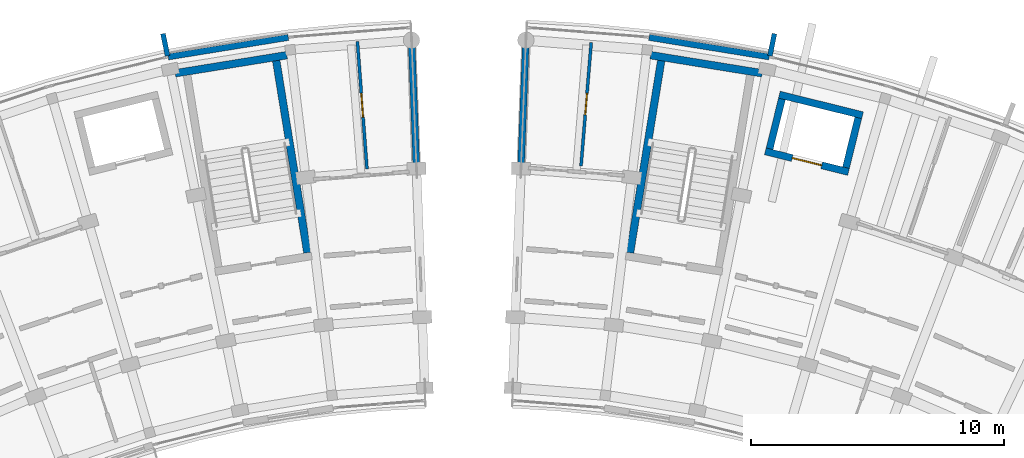
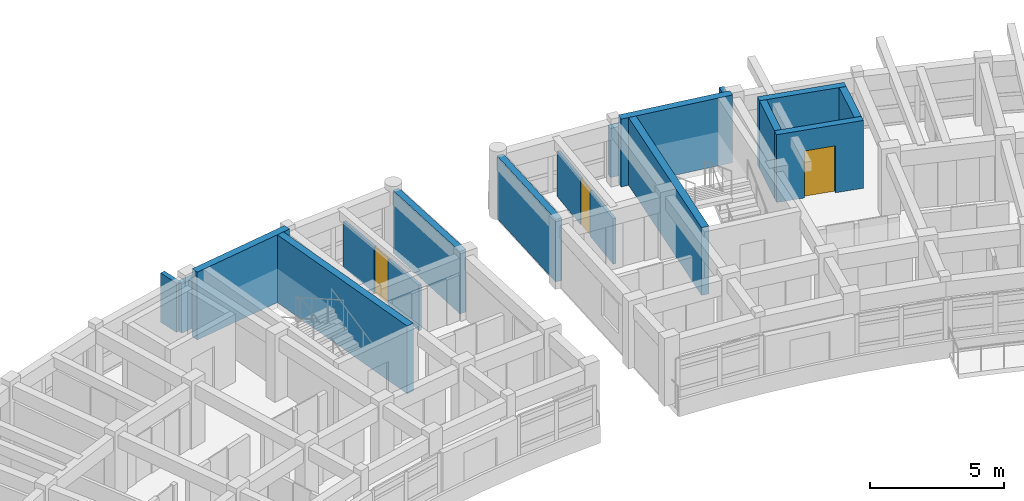
# One storey, part 31 of 54: 16 walls, 3 doors, 3 openings.
"""IFC4 building model written with IfcOpenShell, lengths in metres."""

from ifc_helpers import new_model, si_unit, direction, frame, frame_2d, origin, place, context, subcontext, project, spatial, rectangle, extrude, material, layer, layer_set, type_object, element, fill, save


model = new_model("IFC4")

# Units and contexts
model_context = context("Model", 3, precision=1e-05, world=origin(), true_north=direction((0.0, 1.0)))
body_context = subcontext(model_context, "Body", "Model", "MODEL_VIEW")
ifc_project = project(units=[si_unit("LENGTHUNIT", "METRE"), si_unit("AREAUNIT", "SQUARE_METRE"), si_unit("VOLUMEUNIT", "CUBIC_METRE"), si_unit("PLANEANGLEUNIT", "RADIAN"), si_unit("MASSUNIT", "GRAM", prefix="KILO")], contexts=[model_context])

# Site, building, storey
site_placement = place(None, origin())
site = spatial("IfcSite", under=ifc_project, at=site_placement, CompositionType="ELEMENT")
building_placement = place(site_placement, origin())
building = spatial("IfcBuilding", under=site, at=building_placement, Name="Zimvara Arc Housing Community", CompositionType="ELEMENT")
storey_placement = place(building_placement, frame((0.0, 0.0, 23.60009765625)))
storey = spatial("IfcBuildingStorey", under=building, at=storey_placement, Name="L07", CompositionType="ELEMENT", Elevation=23.60009765625)

# Walls
ifc_material_1 = material(Name="Board-Marked Fair-Faced Concrete C35/45", Category="concrete")
ifc_layer_1 = layer(ifc_material_1, 0.195068359375)
ifc_layer_set_1 = layer_set([ifc_layer_1], Name="Board-Marked Fair-Faced Concrete C35/45")
wall_type_1 = type_object("IfcWallType", Name="EWL-PARA-195", PredefinedType="PARAPET", material=ifc_layer_set_1)
for number, where, z_axis, x_axis, name in (
    (1, (33.092529296875, 102.714599609375, 0.0), (0.0, 0.0, 1.0), (-0.200183211319, 0.979758481416, 0.0), "finwall:blkA:L07:out:b8"),
    (2, (56.907470703125, 102.714599609375, 0.0), (0.0, 0.0, 1.0), (0.200183211319, 0.979758481416, 0.0), "finwall:blkB:L07:out:b2"),
):
    element("IfcWall", number, at=place(storey_placement, frame(where, z_axis=z_axis, x_axis=x_axis)), inside=storey, type_object=wall_type_1, Name=name, PredefinedType="PARAPET", context=body_context, shape_type="SweptSolid", body=[
        extrude(rectangle(XDim=0.900146484375, YDim=0.195068359375, at=frame_2d((0.4501953125, 0.0))), origin(), (0.0, 0.0, 1.0), 2.25),
    ])
ifc_material_2 = material(Name="Pigmented Fair-Faced Concrete C35/45", Category="concrete")
ifc_layer_2 = layer(ifc_material_2, 0.2451171875)
ifc_layer_set_2 = layer_set([ifc_layer_2], Name="Pigmented Fair-Faced Concrete C35/45")
wall_type_2 = type_object("IfcWallType", Name="EWL-PIGM-245", PredefinedType="SOLIDWALL", material=ifc_layer_set_2)
for number, where, z_axis, x_axis, name in (
    (3, (33.120361328125, 102.6787109375, 0.0), (0.0, 0.0, 1.0), (0.987080750493, 0.160223568819, 0.0), "ewall:blkA:L07:out:b8"),
    (4, (52.1328125, 103.44921875, 0.0), (0.0, 0.0, 1.0), (0.987080750493, -0.160223568819, 0.0), "ewall:blkB:L07:out:b1"),
):
    element("IfcWall", number, at=place(storey_placement, frame(where, z_axis=z_axis, x_axis=x_axis)), inside=storey, type_object=wall_type_2, Name=name, PredefinedType="SOLIDWALL", context=body_context, shape_type="SweptSolid", body=[
        extrude(rectangle(XDim=4.808837890625, YDim=0.2451171875, at=frame_2d((2.404296875, 0.0))), origin(), (0.0, 0.0, 1.0), 2.25),
    ])

# Wall, opening, door
ifc_material_3 = material(Name="Painted Acoustic Plasterboard")
ifc_layer_3 = layer(ifc_material_3, 0.1201171875)
ifc_layer_set_3 = layer_set([ifc_layer_3], Name="Painted Acoustic Plasterboard")
wall_type_3 = type_object("IfcWallType", Name="IWL-PART-120", PredefinedType="PARTITIONING", material=ifc_layer_set_3)
wall_1_placement = place(storey_placement, frame((40.9765625, 98.24951171875, 0.0), z_axis=(0.0, 0.0, 1.0), x_axis=(-0.074640923707, 0.997210475531, 0.0)))
wall_1 = element("IfcWall", 5, at=wall_1_placement, inside=storey, type_object=wall_type_3, Name="iwall:blkA:L07:bed_div:b9", PredefinedType="PARTITIONING", context=body_context, shape_type="SweptSolid", body=[
    extrude(rectangle(XDim=5.05029296875, YDim=0.1201171875, at=frame_2d((2.525146484375, 0.0))), origin(), (0.0, 0.0, 1.0), 2.079833984375),
])
opening_1_placement = place(wall_1_placement, frame((2.054931640625, 0.0, 0.0)))
opening_1 = element("IfcOpeningElement", 6, at=opening_1_placement, cuts=wall_1, Name="Opening D03", PredefinedType="OPENING", context=body_context, shape_type="SweptSolid", body=[
    extrude(rectangle(XDim=0.93994140625, YDim=2.10009765625, at=frame_2d((0.469970703125, 1.050048828125))), frame((0.0, 0.070068359375, 0.0), z_axis=(0.0, -1.0, 0.0), x_axis=(1.0, 0.0, 0.0)), (0.0, 0.0, 1.0), 0.14013671875),
])
ifc_material_4 = material(Name="Mozambican Hardwood", Category="wood")
door_type_1 = type_object("IfcDoorType", Name="IDR-RM-0940x2100", OperationType="NOTDEFINED", PredefinedType="DOOR", material=ifc_material_4)
door_1_placement = place(opening_1_placement, origin())
door_1 = element("IfcDoor", 7, at=door_1_placement, inside=storey, type_object=door_type_1, Name="idoor:blkA:L07:bed_d:b9", OperationType="SINGLE_SWING_LEFT", OverallHeight=2.10009765625, OverallWidth=0.93994140625, PredefinedType="DOOR", context=body_context, shape_type="SweptSolid", body=[
    extrude(rectangle(XDim=0.93994140625, YDim=2.10009765625, at=frame_2d((0.469970703125, 1.050048828125))), frame((0.0, 0.02490234375, 0.0), z_axis=(0.0, -1.0, 0.0), x_axis=(1.0, 0.0, 0.0)), (0.0, 0.0, 1.0), 0.050048828125),
])
fill(opening_1, door_1)

wall_2_placement = place(storey_placement, frame((49.44091796875, 98.3671875, 0.0), z_axis=(0.0, 0.0, 1.0), x_axis=(0.082158932509, 0.996619240136, 0.0)))
wall_2 = element("IfcWall", 8, at=wall_2_placement, inside=storey, type_object=wall_type_3, Name="iwall:blkB:L07:bed_div:b0", PredefinedType="PARTITIONING", context=body_context, shape_type="SweptSolid", body=[
    extrude(rectangle(XDim=4.900146484375, YDim=0.1201171875, at=frame_2d((2.4501953125, 0.0))), origin(), (0.0, 0.0, 1.0), 2.079833984375),
])
opening_2_placement = place(wall_2_placement, frame((2.02490234375, 0.0, 0.0)))
opening_2 = element("IfcOpeningElement", 9, at=opening_2_placement, cuts=wall_2, Name="Opening D11", PredefinedType="OPENING", context=body_context, shape_type="SweptSolid", body=[
    extrude(rectangle(XDim=0.85009765625, YDim=2.10009765625, at=frame_2d((0.425048828125, 1.050048828125))), frame((0.0, 0.070068359375, 0.0), z_axis=(0.0, -1.0, 0.0), x_axis=(1.0, 0.0, 0.0)), (0.0, 0.0, 1.0), 0.14013671875),
])
ifc_material_5 = material(Name="Mozambican Hardwood", Category="wood")
door_type_2 = type_object("IfcDoorType", Name="IDR-MOD-850x2060", OperationType="NOTDEFINED", PredefinedType="DOOR", material=ifc_material_5)
door_2_placement = place(opening_2_placement, origin())
door_2 = element("IfcDoor", 10, at=door_2_placement, inside=storey, type_object=door_type_2, Name="idoor:blkB:L07:bed_d:b0", OperationType="SINGLE_SWING_LEFT", OverallHeight=2.10009765625, OverallWidth=0.85009765625, PredefinedType="DOOR", context=body_context, shape_type="SweptSolid", body=[
    extrude(rectangle(XDim=0.85009765625, YDim=2.10009765625, at=frame_2d((0.425048828125, 1.050048828125))), frame((0.0, 0.02490234375, 0.0), z_axis=(0.0, -1.0, 0.0), x_axis=(1.0, 0.0, 0.0)), (0.0, 0.0, 1.0), 0.050048828125),
])
fill(opening_2, door_2)

ifc_material_6 = material(Name="Concrete C40/50", Category="concrete")
ifc_layer_4 = layer(ifc_material_6, 0.280029296875)
ifc_layer_set_4 = layer_set([ifc_layer_4], Name="Concrete C40/50")
wall_type_4 = type_object("IfcWallType", Name="WL-CORE-280", PredefinedType="SHEAR", material=ifc_layer_set_4)
wall_3_placement = place(storey_placement, frame((60.017578125, 98.127685546875, 0.0), z_axis=(0.0, 0.0, 1.0), x_axis=(-0.970707542441, 0.240264160972, 0.0)))
wall_3 = element("IfcWall", 11, at=wall_3_placement, inside=storey, type_object=wall_type_4, Name="lwall:LF-B1:L07:front", PredefinedType="SHEAR", context=body_context, shape_type="SweptSolid", body=[
    extrude(rectangle(XDim=3.389892578125, YDim=0.280029296875, at=frame_2d((1.69482421875, 0.0))), origin(), (0.0, 0.0, 1.0), 3.099853515625),
])
opening_3_placement = place(wall_3_placement, frame((1.094970703125, 0.0, 0.0)))
opening_3 = element("IfcOpeningElement", 12, at=opening_3_placement, cuts=wall_3, Name="Opening LD-LF-B1", PredefinedType="OPENING", context=body_context, shape_type="SweptSolid", body=[
    extrude(rectangle(XDim=1.199951171875, YDim=2.14990234375, at=frame_2d((0.60009765625, 1.074951171875))), frame((0.0, 0.14990234375, 0.0), z_axis=(0.0, -1.0, 0.0), x_axis=(1.0, 0.0, 0.0)), (0.0, 0.0, 1.0), 0.300048828125),
])
ifc_material_7 = material(Name="Anodised Aluminium AW-6063", Category="aluminium")
door_type_3 = type_object("IfcDoorType", Name="IDR-LD-1200x2150", OperationType="DOUBLE_DOOR_SLIDING", PredefinedType="DOOR", material=ifc_material_7)
door_3_placement = place(opening_3_placement, origin())
door_3 = element("IfcDoor", 13, at=door_3_placement, inside=storey, type_object=door_type_3, Name="Lift LF-B1 Sliding Landing Door L07", OperationType="DOUBLE_DOOR_SLIDING", OverallHeight=2.14990234375, OverallWidth=1.199951171875, PredefinedType="DOOR", context=body_context, shape_type="SweptSolid", body=[
    extrude(rectangle(XDim=1.199951171875, YDim=2.14990234375, at=frame_2d((0.60009765625, 1.074951171875))), frame((0.0, 0.02490234375, 0.0), z_axis=(0.0, -1.0, 0.0), x_axis=(1.0, 0.0, 0.0)), (0.0, 0.0, 1.0), 0.050048828125),
])
fill(opening_3, door_3)

# Walls
wall_4_placement = place(storey_placement, frame((60.572509765625, 100.3701171875, 0.0), z_axis=(0.0, 0.0, 1.0), x_axis=(-0.970711699588, 0.240247364777, 0.0)))
element("IfcWall", 14, at=wall_4_placement, inside=storey, type_object=wall_type_4, Name="lwall:LF-B1:L07:back", PredefinedType="SHEAR", context=body_context, shape_type="SweptSolid", body=[
    extrude(rectangle(XDim=3.39013671875, YDim=0.280029296875, at=frame_2d((1.695068359375, 0.0))), origin(), (0.0, 0.0, 1.0), 3.099853515625),
])
wall_5_placement = place(storey_placement, frame((59.915283203125, 98.29736328125, 0.0), z_axis=(0.0, 0.0, 1.0), x_axis=(0.2402993748, 0.970698825832, 0.0)))
element("IfcWall", 15, at=wall_5_placement, inside=storey, type_object=wall_type_4, Name="lwall:LF-B1:L07:left", PredefinedType="SHEAR", context=body_context, shape_type="SweptSolid", body=[
    extrude(rectangle(XDim=2.030029296875, YDim=0.280029296875, at=frame_2d((1.01513671875, 0.0))), origin(), (0.0, 0.0, 1.0), 3.099853515625),
])
wall_6_placement = place(storey_placement, frame((56.896484375, 99.04443359375, 0.0), z_axis=(0.0, 0.0, 1.0), x_axis=(0.240186044774, 0.970726873995, 0.0)))
element("IfcWall", 16, at=wall_6_placement, inside=storey, type_object=wall_type_4, Name="lwall:LF-B1:L07:right", PredefinedType="SHEAR", context=body_context, shape_type="SweptSolid", body=[
    extrude(rectangle(XDim=2.02978515625, YDim=0.280029296875, at=frame_2d((1.014892578125, 0.0))), origin(), (0.0, 0.0, 1.0), 3.099853515625),
])
ifc_material_8 = material(Name="Concrete C40/50", Category="concrete")
ifc_layer_5 = layer(ifc_material_8, 0.300048828125)
ifc_layer_set_5 = layer_set([ifc_layer_5], Name="Concrete C40/50")
wall_type_5 = type_object("IfcWallType", Name="WL-CORE-300", PredefinedType="SHEAR", material=ifc_layer_set_5)
wall_7_placement = place(storey_placement, frame((37.8095703125, 102.745361328125, 0.0), z_axis=(0.0, 0.0, 1.0), x_axis=(-0.987084710126, -0.160199173019, 0.0)))
element("IfcWall", 17, at=wall_7_placement, inside=storey, type_object=wall_type_5, Name="cwall:ST-A2:L07:far", PredefinedType="SHEAR", context=body_context, shape_type="SweptSolid", body=[
    extrude(rectangle(XDim=4.4697265625, YDim=0.300048828125, at=frame_2d((2.23486328125, 0.0))), origin(), (0.0, 0.0, 1.0), 3.099853515625),
])
wall_8_placement = place(storey_placement, frame((38.62158203125, 94.9345703125, 0.0), z_axis=(0.0, 0.0, 1.0), x_axis=(-0.160196564502, 0.987085133472, 0.0)))
element("IfcWall", 18, at=wall_8_placement, inside=storey, type_object=wall_type_5, Name="cwall:ST-A2:L07:left", PredefinedType="SHEAR", context=body_context, shape_type="SweptSolid", body=[
    extrude(rectangle(XDim=7.690185546875, YDim=0.300048828125, at=frame_2d((3.84521484375, 0.0))), origin(), (0.0, 0.0, 1.0), 3.099853515625),
])
wall_9_placement = place(storey_placement, frame((56.6025390625, 102.029296875, 0.0), z_axis=(0.0, 0.0, 1.0), x_axis=(-0.987084710126, 0.160199173019, 0.0)))
element("IfcWall", 19, at=wall_9_placement, inside=storey, type_object=wall_type_5, Name="cwall:ST-B1:L07:far", PredefinedType="SHEAR", context=body_context, shape_type="SweptSolid", body=[
    extrude(rectangle(XDim=4.4697265625, YDim=0.300048828125, at=frame_2d((2.23486328125, 0.0))), origin(), (0.0, 0.0, 1.0), 3.099853515625),
])
wall_10_placement = place(storey_placement, frame((51.37841796875, 94.9345703125, 0.0), z_axis=(0.0, 0.0, 1.0), x_axis=(0.160196564502, 0.987085133472, 0.0)))
element("IfcWall", 20, at=wall_10_placement, inside=storey, type_object=wall_type_5, Name="cwall:ST-B1:L07:right", PredefinedType="SHEAR", context=body_context, shape_type="SweptSolid", body=[
    extrude(rectangle(XDim=7.690185546875, YDim=0.300048828125, at=frame_2d((3.84521484375, 0.0))), origin(), (0.0, 0.0, 1.0), 3.099853515625),
])
ifc_material_9 = material(Name="Concrete C40/50", Category="concrete")
ifc_layer_6 = layer(ifc_material_9, 0.27001953125)
ifc_layer_set_6 = layer_set([ifc_layer_6], Name="Concrete C40/50")
wall_type_6 = type_object("IfcWallType", Name="WL-SHEAR-270", PredefinedType="SHEAR", material=ifc_layer_set_6)
for number, where, z_axis, x_axis, name in (
    (21, (42.927734375, 98.440185546875, 0.0), (0.0, 0.0, 1.0), (-0.038379487611, 0.999263236055, 0.0), "swall:blkA:L07:east"),
    (22, (47.072265625, 98.440185546875, 0.0), (0.0, 0.0, 1.0), (0.038379487611, 0.999263236055, 0.0), "swall:blkB:L07:west"),
):
    element("IfcWall", number, at=place(storey_placement, frame(where, z_axis=z_axis, x_axis=x_axis)), inside=storey, type_object=wall_type_6, Name=name, PredefinedType="SHEAR", context=body_context, shape_type="SweptSolid", body=[
        extrude(rectangle(XDim=4.719970703125, YDim=0.27001953125, at=frame_2d((2.35986328125, 0.0))), origin(), (0.0, 0.0, 1.0), 2.85986328125),
    ])

save(model, "model.ifc")
